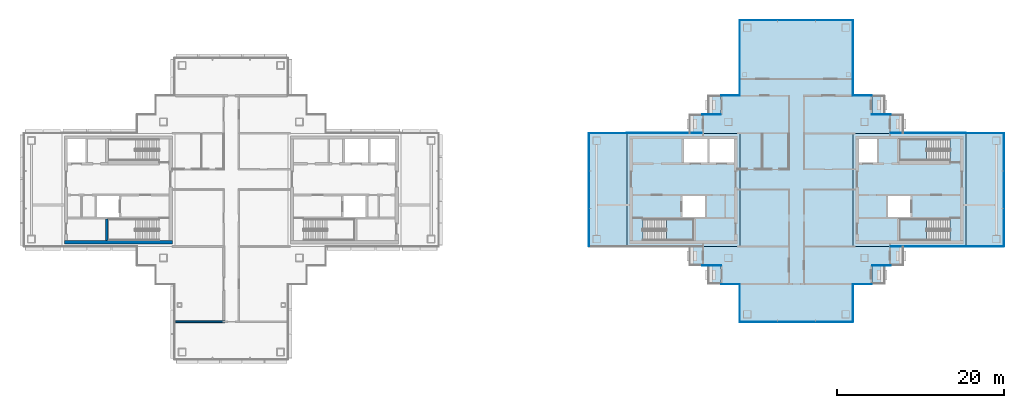
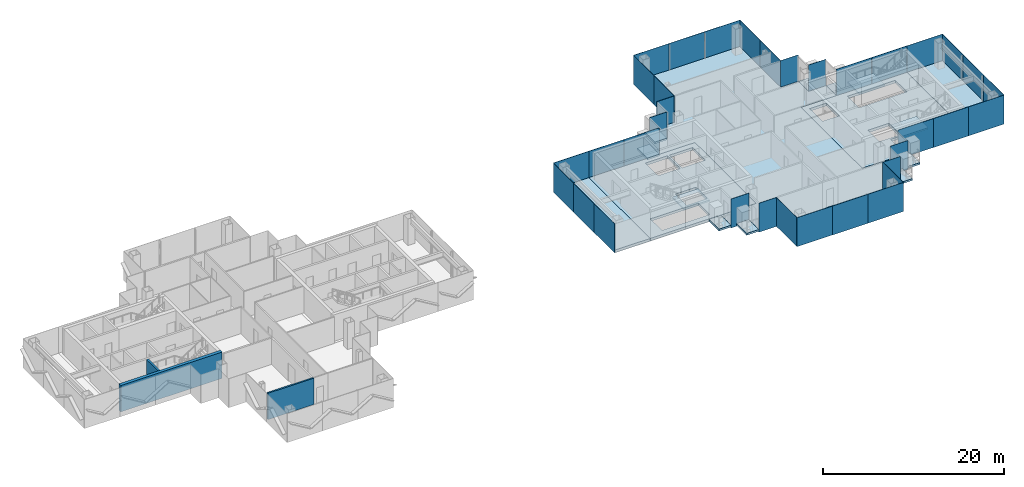
# One storey, part 8 of 17: 35 plates, 16 slabs, 3 walls, 21 elements without a shape of their own.
"""IFC4 building model written with IfcOpenShell, lengths in metres."""

from ifc_helpers import new_model, si_unit, direction, frame, frame_2d, origin, origin_2d, place, context, subcontext, project, spatial, polyline, rectangle, outline, extrude, material, layer, layer_set, type_object, element, aggregate, save


model = new_model("IFC4")

# Units and contexts
model_context = context("Model", 3, precision=1e-05, world=origin(), true_north=direction((0.0, 1.0)))
body_context = subcontext(model_context, "Body", "Model", "MODEL_VIEW")
ifc_project = project(units=[si_unit("LENGTHUNIT", "METRE"), si_unit("AREAUNIT", "SQUARE_METRE"), si_unit("VOLUMEUNIT", "CUBIC_METRE"), si_unit("PLANEANGLEUNIT", "RADIAN"), si_unit("MASSUNIT", "GRAM", prefix="KILO")], contexts=[model_context])

# Site, building, storey
site_placement = place(None, origin())
site = spatial("IfcSite", under=ifc_project, at=site_placement, CompositionType="ELEMENT")
building_placement = place(site_placement, origin())
building = spatial("IfcBuilding", under=site, at=building_placement, Name="Shamsa Quay Exchange Towers", CompositionType="ELEMENT")
storey_placement = place(building_placement, frame((0.0, 0.0, 238.199951171875)))
storey = spatial("IfcBuildingStorey", under=building, at=storey_placement, Name="L57", CompositionType="ELEMENT", Elevation=238.199951171875)

# Slabs
ifc_material_1 = material(Name="Precast concrete C40/50", Category="concrete")
ifc_layer_1 = layer(ifc_material_1, 0.25)
ifc_layer_set_1 = layer_set([ifc_layer_1], Name="BALCONY SLAB 250")
slab_type_1 = type_object("IfcSlabType", Name="BALCONY SLAB 250", PredefinedType="FLOOR", material=ifc_layer_set_1)
slab_1_placement = place(storey_placement, frame((0.0, 0.0, -0.25)))
element("IfcSlab", 1, at=slab_1_placement, inside=storey, type_object=slab_type_1, Name="Balcony T2-PKEN L57", PredefinedType="FLOOR", context=body_context, shape_type="SweptSolid", body=[
    extrude(outline(polyline([(24.75, 11.25), (24.75, 9.0380859375), (23.199951171875, 9.0380859375), (23.199951171875, 11.25), (24.75, 11.25)])), origin(), (0.0, 0.0, 1.0), 0.25),
])
slab_2_placement = place(storey_placement, frame((0.0, 0.0, -0.25)))
element("IfcSlab", 2, at=slab_2_placement, inside=storey, type_object=slab_type_1, Name="Balcony T2-PKEN L57", PredefinedType="FLOOR", context=body_context, shape_type="SweptSolid", body=[
    extrude(outline(polyline([(22.5, 9.0), (22.5, 6.7880859375), (20.949951171875, 6.7880859375), (20.949951171875, 9.0), (22.5, 9.0)])), origin(), (0.0, 0.0, 1.0), 0.25),
])
slab_3_placement = place(storey_placement, frame((0.0, 0.0, -0.25)))
element("IfcSlab", 3, at=slab_3_placement, inside=storey, type_object=slab_type_1, Name="Balcony T2-PKES L57", PredefinedType="FLOOR", context=body_context, shape_type="SweptSolid", body=[
    extrude(outline(polyline([(42.75, 9.0380859375), (42.75, 11.25), (44.300048828125, 11.25), (44.300048828125, 9.0380859375), (42.75, 9.0380859375)])), origin(), (0.0, 0.0, 1.0), 0.25),
])
slab_4_placement = place(storey_placement, frame((0.0, 0.0, -0.25)))
element("IfcSlab", 4, at=slab_4_placement, inside=storey, type_object=slab_type_1, Name="Balcony T2-PKES L57", PredefinedType="FLOOR", context=body_context, shape_type="SweptSolid", body=[
    extrude(outline(polyline([(45.0, 6.7880859375), (45.0, 9.0), (46.550048828125, 9.0), (46.550048828125, 6.7880859375), (45.0, 6.7880859375)])), origin(), (0.0, 0.0, 1.0), 0.25),
])
slab_5_placement = place(storey_placement, frame((0.0, 0.0, -0.25)))
element("IfcSlab", 5, at=slab_5_placement, inside=storey, type_object=slab_type_1, Name="Balcony T2-PKWN L57", PredefinedType="FLOOR", context=body_context, shape_type="SweptSolid", body=[
    extrude(outline(polyline([(22.5, -6.7880859375), (22.5, -9.0), (20.949951171875, -9.0), (20.949951171875, -6.7880859375), (22.5, -6.7880859375)])), origin(), (0.0, 0.0, 1.0), 0.25),
])
slab_6_placement = place(storey_placement, frame((0.0, 0.0, -0.25)))
element("IfcSlab", 6, at=slab_6_placement, inside=storey, type_object=slab_type_1, Name="Balcony T2-PKWN L57", PredefinedType="FLOOR", context=body_context, shape_type="SweptSolid", body=[
    extrude(outline(polyline([(24.75, -9.0380859375), (24.75, -11.25), (23.199951171875, -11.25), (23.199951171875, -9.0380859375), (24.75, -9.0380859375)])), origin(), (0.0, 0.0, 1.0), 0.25),
])
slab_7_placement = place(storey_placement, frame((0.0, 0.0, -0.25)))
element("IfcSlab", 7, at=slab_7_placement, inside=storey, type_object=slab_type_1, Name="Balcony T2-PKWS L57", PredefinedType="FLOOR", context=body_context, shape_type="SweptSolid", body=[
    extrude(outline(polyline([(42.75, -11.25), (42.75, -9.0380859375), (44.300048828125, -9.0380859375), (44.300048828125, -11.25), (42.75, -11.25)])), origin(), (0.0, 0.0, 1.0), 0.25),
])
slab_8_placement = place(storey_placement, frame((0.0, 0.0, -0.25)))
element("IfcSlab", 8, at=slab_8_placement, inside=storey, type_object=slab_type_1, Name="Balcony T2-PKWS L57", PredefinedType="FLOOR", context=body_context, shape_type="SweptSolid", body=[
    extrude(outline(polyline([(45.0, -9.0), (45.0, -6.7880859375), (46.550048828125, -6.7880859375), (46.550048828125, -9.0), (45.0, -9.0)])), origin(), (0.0, 0.0, 1.0), 0.25),
])
ifc_material_2 = material(Name="Concrete C50/60", Category="concrete")
ifc_layer_2 = layer(ifc_material_2, 0.35009765625)
ifc_layer_set_2 = layer_set([ifc_layer_2], Name="CORE FLOOR 350 C50/60")
slab_type_2 = type_object("IfcSlabType", Name="CORE FLOOR 350 C50/60", PredefinedType="FLOOR", material=ifc_layer_set_2)
slab_9_placement = place(storey_placement, frame((0.0, 0.0, -0.349853515625)))
element("IfcSlab", 9, at=slab_9_placement, inside=storey, type_object=slab_type_2, Name="Core floor T2A", PredefinedType="FLOOR", context=body_context, shape_type="SweptSolid", body=[
    extrude(outline(polyline([(13.5, -6.75), (27.0, -6.75), (27.0, 6.75), (13.5, 6.75), (13.5, -6.75)]), holes=[polyline([(15.400634765625, -6.050048828125), (15.400634765625, -3.5), (21.5, -3.5), (21.5, -6.050048828125), (15.400634765625, -6.050048828125)]), polyline([(20.300048828125, 3.25), (20.300048828125, 6.050048828125), (23.10009765625, 6.050048828125), (23.10009765625, 3.25), (20.300048828125, 3.25)]), polyline([(23.35009765625, 3.25), (23.35009765625, 6.050048828125), (26.300048828125, 6.050048828125), (26.300048828125, 3.25), (23.35009765625, 3.25)]), polyline([(20.14990234375, -3.25), (20.14990234375, -0.75), (22.800048828125, -0.75), (22.800048828125, -3.25), (20.14990234375, -3.25)])]), origin(), (0.0, 0.0, 1.0), 0.349853515625),
])
slab_10_placement = place(storey_placement, frame((0.0, 0.0, -0.349853515625)))
element("IfcSlab", 10, at=slab_10_placement, inside=storey, type_object=slab_type_2, Name="Core floor T2B", PredefinedType="FLOOR", context=body_context, shape_type="SweptSolid", body=[
    extrude(outline(polyline([(54.0, -6.75), (54.0, 6.75), (40.5, 6.75), (40.5, -6.75), (54.0, -6.75)]), holes=[polyline([(52.099365234375, -3.5), (52.099365234375, -6.050048828125), (46.0, -6.050048828125), (46.0, -3.5), (52.099365234375, -3.5)]), polyline([(52.099365234375, 6.050048828125), (52.099365234375, 3.5), (46.0, 3.5), (46.0, 6.050048828125), (52.099365234375, 6.050048828125)]), polyline([(43.35009765625, 3.25), (41.199951171875, 3.25), (41.199951171875, 6.050048828125), (43.35009765625, 6.050048828125), (43.35009765625, 3.25)]), polyline([(47.35009765625, -3.25), (44.699951171875, -3.25), (44.699951171875, -0.75), (47.35009765625, -0.75), (47.35009765625, -3.25)])]), origin(), (0.0, 0.0, 1.0), 0.349853515625),
])

# Stair, slab
ifc_material_3 = material(Name="Concrete C40/50", Category="concrete")
stair_type = type_object("IfcStairType", Name="EXIT STAIR 22 RISERS 177 MM", PredefinedType="HALF_TURN_STAIR", material=ifc_material_3)
stair_1_placement = place(storey_placement, origin())
stair_1 = element("IfcStair", 11, at=stair_1_placement, inside=storey, type_object=stair_type, Name="L57 Exit stair ST4", PredefinedType="HALF_TURN_STAIR")
ifc_layer_3 = layer(ifc_material_3, 0.199951171875)
ifc_layer_set_3 = layer_set([ifc_layer_3], Name="CORE STAIR LANDING")
slab_type_3 = type_object("IfcSlabType", Name="CORE STAIR LANDING", PredefinedType="LANDING", material=ifc_layer_set_3)
slab_11_placement = place(storey_placement, frame((0.0, 0.0, 1.75)))
slab_11 = element("IfcSlab", 12, at=slab_11_placement, type_object=slab_type_3, Name="ST4 landing 1", PredefinedType="LANDING", context=body_context, shape_type="SweptSolid", body=[
    extrude(outline(polyline([(18.199951171875, -6.050048828125), (21.5, -6.050048828125), (21.5, -3.5), (18.199951171875, -3.5), (18.199951171875, -6.050048828125)])), origin(), (0.0, 0.0, 1.0), 0.199951171875),
])
aggregate(stair_1, [slab_11])

stair_2_placement = place(storey_placement, origin())
stair_2 = element("IfcStair", 13, at=stair_2_placement, inside=storey, type_object=stair_type, Name="L57 Exit stair ST5", PredefinedType="HALF_TURN_STAIR")
slab_12_placement = place(storey_placement, frame((0.0, 0.0, 1.75)))
slab_12 = element("IfcSlab", 14, at=slab_12_placement, type_object=slab_type_3, Name="ST5 landing 1", PredefinedType="LANDING", context=body_context, shape_type="SweptSolid", body=[
    extrude(outline(polyline([(49.300048828125, -3.5), (46.0, -3.5), (46.0, -6.050048828125), (49.300048828125, -6.050048828125), (49.300048828125, -3.5)])), origin(), (0.0, 0.0, 1.0), 0.199951171875),
])
aggregate(stair_2, [slab_12])

stair_3_placement = place(storey_placement, origin())
stair_3 = element("IfcStair", 15, at=stair_3_placement, inside=storey, type_object=stair_type, Name="L57 Exit stair ST6", PredefinedType="HALF_TURN_STAIR")
slab_13_placement = place(storey_placement, frame((0.0, 0.0, 1.75)))
slab_13 = element("IfcSlab", 16, at=slab_13_placement, type_object=slab_type_3, Name="ST6 landing 1", PredefinedType="LANDING", context=body_context, shape_type="SweptSolid", body=[
    extrude(outline(polyline([(49.300048828125, 6.050048828125), (46.0, 6.050048828125), (46.0, 3.5), (49.300048828125, 3.5), (49.300048828125, 6.050048828125)])), origin(), (0.0, 0.0, 1.0), 0.199951171875),
])
aggregate(stair_3, [slab_13])

# Curtain wall, plate
ifc_material_4 = material(Name="Aluminium EN AW-6063 T6, black anodised", Category="aluminium")
ifc_layer_4 = layer(ifc_material_4, 0.280029296875)
ifc_layer_set_4 = layer_set([ifc_layer_4], Name="CW-1 UNITISED VISION GLASS")
curtain_wall_type_1 = type_object("IfcCurtainWallType", Name="CW-1 UNITISED VISION GLASS", PredefinedType="NOTDEFINED", material=ifc_layer_set_4)
curtain_wall_1_placement = place(storey_placement, origin())
curtain_wall_1 = element("IfcCurtainWall", 17, at=curtain_wall_1_placement, inside=storey, type_object=curtain_wall_type_1, Name="CW1 T2-FLK-V-W L57", PredefinedType="NOTDEFINED")
ifc_material_5 = material(Name="Glass, laminated, dark tinted", Category="glass")
ifc_layer_5 = layer(ifc_material_5, 0.0400390625)
ifc_layer_set_5 = layer_set([ifc_layer_5], Name="CW-1 VISION GLASS 40")
plate_type_1 = type_object("IfcPlateType", Name="CW-1 VISION GLASS 40", PredefinedType="CURTAIN_PANEL", material=ifc_layer_set_5)
plate_1_placement = place(storey_placement, frame((56.25, -6.77001953125, -0.349853515625)))
plate_1 = element("IfcPlate", 18, at=plate_1_placement, type_object=plate_type_1, Name="CW1 glass panel", PredefinedType="CURTAIN_PANEL", context=body_context, shape_type="SweptSolid", body=[
    extrude(rectangle(XDim=4.5, YDim=0.0400390625, at=origin_2d()), origin(), (0.0, 0.0, 1.0), 3.89990234375),
])
aggregate(curtain_wall_1, [plate_1])

# Curtain wall, plates
curtain_wall_2_placement = place(storey_placement, origin())
curtain_wall_2 = element("IfcCurtainWall", 19, at=curtain_wall_2_placement, inside=storey, type_object=curtain_wall_type_1, Name="CW1 T2-END-V- L57", PredefinedType="NOTDEFINED")
plate_2_placement = place(storey_placement, frame((58.52001953125, -4.50244140625, -0.349853515625), z_axis=(0.0, 0.0, 1.0), x_axis=(0.0, 1.0, 0.0)))
plate_2 = element("IfcPlate", 20, at=plate_2_placement, type_object=plate_type_1, Name="CW1 glass panel", PredefinedType="CURTAIN_PANEL", context=body_context, shape_type="SweptSolid", body=[
    extrude(rectangle(XDim=4.4951171875, YDim=0.0400390625, at=origin_2d()), origin(), (0.0, 0.0, 1.0), 3.89990234375),
])
plate_3_placement = place(storey_placement, frame((58.52001953125, 0.0, -0.349853515625), z_axis=(0.0, 0.0, 1.0), x_axis=(0.0, 1.0, 0.0)))
plate_3 = element("IfcPlate", 21, at=plate_3_placement, type_object=plate_type_1, Name="CW1 glass panel", PredefinedType="CURTAIN_PANEL", context=body_context, shape_type="SweptSolid", body=[
    extrude(rectangle(XDim=4.489990234375, YDim=0.0400390625, at=origin_2d()), origin(), (0.0, 0.0, 1.0), 3.89990234375),
])
plate_4_placement = place(storey_placement, frame((58.52001953125, 4.50244140625, -0.349853515625), z_axis=(0.0, 0.0, 1.0), x_axis=(0.0, 1.0, 0.0)))
plate_4 = element("IfcPlate", 22, at=plate_4_placement, type_object=plate_type_1, Name="CW1 glass panel", PredefinedType="CURTAIN_PANEL", context=body_context, shape_type="SweptSolid", body=[
    extrude(rectangle(XDim=4.4951171875, YDim=0.0400390625, at=origin_2d()), origin(), (0.0, 0.0, 1.0), 3.89990234375),
])
aggregate(curtain_wall_2, [plate_2, plate_3, plate_4])

# Curtain wall, plate
curtain_wall_3_placement = place(storey_placement, origin())
curtain_wall_3 = element("IfcCurtainWall", 23, at=curtain_wall_3_placement, inside=storey, type_object=curtain_wall_type_1, Name="CW1 T2-FLK-V-E L57", PredefinedType="NOTDEFINED")
plate_5_placement = place(storey_placement, frame((56.25, 6.77001953125, -0.349853515625), z_axis=(0.0, 0.0, 1.0), x_axis=(-1.0, 0.0, 0.0)))
plate_5 = element("IfcPlate", 24, at=plate_5_placement, type_object=plate_type_1, Name="CW1 glass panel", PredefinedType="CURTAIN_PANEL", context=body_context, shape_type="SweptSolid", body=[
    extrude(rectangle(XDim=4.5, YDim=0.0400390625, at=origin_2d()), origin(), (0.0, 0.0, 1.0), 3.89990234375),
])
aggregate(curtain_wall_3, [plate_5])

# Curtain wall, plates
curtain_wall_4_placement = place(storey_placement, origin())
curtain_wall_4 = element("IfcCurtainWall", 25, at=curtain_wall_4_placement, inside=storey, type_object=curtain_wall_type_1, Name="CW1 T2-FLK-U+S L57", PredefinedType="NOTDEFINED")
plate_6_placement = place(storey_placement, frame((40.52001953125, 13.52587890625, -0.349853515625), z_axis=(0.0, 0.0, 1.0), x_axis=(0.0, 1.0, 0.0)))
plate_6 = element("IfcPlate", 26, at=plate_6_placement, type_object=plate_type_1, Name="CW1 glass panel", PredefinedType="CURTAIN_PANEL", context=body_context, shape_type="SweptSolid", body=[
    extrude(rectangle(XDim=4.47607421875, YDim=0.0400390625, at=origin_2d()), origin(), (0.0, 0.0, 1.0), 3.89990234375),
])
plate_7_placement = place(storey_placement, frame((40.52001953125, 18.011962890625, -0.349853515625), z_axis=(0.0, 0.0, 1.0), x_axis=(0.0, 1.0, 0.0)))
plate_7 = element("IfcPlate", 27, at=plate_7_placement, type_object=plate_type_1, Name="CW1 glass panel", PredefinedType="CURTAIN_PANEL", context=body_context, shape_type="SweptSolid", body=[
    extrude(rectangle(XDim=4.47607421875, YDim=0.0400390625, at=origin_2d()), origin(), (0.0, 0.0, 1.0), 3.89990234375),
])
aggregate(curtain_wall_4, [plate_6, plate_7])

curtain_wall_5_placement = place(storey_placement, origin())
curtain_wall_5 = element("IfcCurtainWall", 28, at=curtain_wall_5_placement, inside=storey, type_object=curtain_wall_type_1, Name="CW1 T2-END-U+ L57", PredefinedType="NOTDEFINED")
plate_8_placement = place(storey_placement, frame((38.25244140625, 20.27001953125, -0.349853515625), z_axis=(0.0, 0.0, 1.0), x_axis=(-1.0, 0.0, 0.0)))
plate_8 = element("IfcPlate", 29, at=plate_8_placement, type_object=plate_type_1, Name="CW1 glass panel", PredefinedType="CURTAIN_PANEL", context=body_context, shape_type="SweptSolid", body=[
    extrude(rectangle(XDim=4.4951171875, YDim=0.0400390625, at=origin_2d()), origin(), (0.0, 0.0, 1.0), 3.89990234375),
])
plate_9_placement = place(storey_placement, frame((33.75, 20.27001953125, -0.349853515625), z_axis=(0.0, 0.0, 1.0), x_axis=(-1.0, 0.0, 0.0)))
plate_9 = element("IfcPlate", 30, at=plate_9_placement, type_object=plate_type_1, Name="CW1 glass panel", PredefinedType="CURTAIN_PANEL", context=body_context, shape_type="SweptSolid", body=[
    extrude(rectangle(XDim=4.489990234375, YDim=0.0400390625, at=origin_2d()), origin(), (0.0, 0.0, 1.0), 3.89990234375),
])
plate_10_placement = place(storey_placement, frame((29.24755859375, 20.27001953125, -0.349853515625), z_axis=(0.0, 0.0, 1.0), x_axis=(-1.0, 0.0, 0.0)))
plate_10 = element("IfcPlate", 31, at=plate_10_placement, type_object=plate_type_1, Name="CW1 glass panel", PredefinedType="CURTAIN_PANEL", context=body_context, shape_type="SweptSolid", body=[
    extrude(rectangle(XDim=4.4951171875, YDim=0.0400390625, at=origin_2d()), origin(), (0.0, 0.0, 1.0), 3.89990234375),
])
aggregate(curtain_wall_5, [plate_8, plate_9, plate_10])

curtain_wall_6_placement = place(storey_placement, origin())
curtain_wall_6 = element("IfcCurtainWall", 32, at=curtain_wall_6_placement, inside=storey, type_object=curtain_wall_type_1, Name="CW1 T2-FLK-U+N L57", PredefinedType="NOTDEFINED")
plate_11_placement = place(storey_placement, frame((26.97998046875, 18.00244140625, -0.349853515625), z_axis=(0.0, 0.0, 1.0), x_axis=(0.0, -1.0, 0.0)))
plate_11 = element("IfcPlate", 33, at=plate_11_placement, type_object=plate_type_1, Name="CW1 glass panel", PredefinedType="CURTAIN_PANEL", context=body_context, shape_type="SweptSolid", body=[
    extrude(rectangle(XDim=4.4951171875, YDim=0.0400390625, at=origin_2d()), origin(), (0.0, 0.0, 1.0), 3.89990234375),
])
plate_12_placement = place(storey_placement, frame((26.97998046875, 13.49755859375, -0.349853515625), z_axis=(0.0, 0.0, 1.0), x_axis=(0.0, -1.0, 0.0)))
plate_12 = element("IfcPlate", 34, at=plate_12_placement, type_object=plate_type_1, Name="CW1 glass panel", PredefinedType="CURTAIN_PANEL", context=body_context, shape_type="SweptSolid", body=[
    extrude(rectangle(XDim=4.4951171875, YDim=0.0400390625, at=origin_2d()), origin(), (0.0, 0.0, 1.0), 3.89990234375),
])
aggregate(curtain_wall_6, [plate_11, plate_12])

# Curtain wall, plate
curtain_wall_7_placement = place(storey_placement, origin())
curtain_wall_7 = element("IfcCurtainWall", 35, at=curtain_wall_7_placement, inside=storey, type_object=curtain_wall_type_1, Name="CW1 T2-FLK-V+E L57", PredefinedType="NOTDEFINED")
plate_13_placement = place(storey_placement, frame((11.25, 6.77001953125, -0.349853515625), z_axis=(0.0, 0.0, 1.0), x_axis=(-1.0, 0.0, 0.0)))
plate_13 = element("IfcPlate", 36, at=plate_13_placement, type_object=plate_type_1, Name="CW1 glass panel", PredefinedType="CURTAIN_PANEL", context=body_context, shape_type="SweptSolid", body=[
    extrude(rectangle(XDim=4.5, YDim=0.0400390625, at=origin_2d()), origin(), (0.0, 0.0, 1.0), 3.89990234375),
])
aggregate(curtain_wall_7, [plate_13])

# Curtain wall, plates
curtain_wall_8_placement = place(storey_placement, origin())
curtain_wall_8 = element("IfcCurtainWall", 37, at=curtain_wall_8_placement, inside=storey, type_object=curtain_wall_type_1, Name="CW1 T2-END-V+ L57", PredefinedType="NOTDEFINED")
plate_14_placement = place(storey_placement, frame((8.97998046875, 4.50244140625, -0.349853515625), z_axis=(0.0, 0.0, 1.0), x_axis=(0.0, -1.0, 0.0)))
plate_14 = element("IfcPlate", 38, at=plate_14_placement, type_object=plate_type_1, Name="CW1 glass panel", PredefinedType="CURTAIN_PANEL", context=body_context, shape_type="SweptSolid", body=[
    extrude(rectangle(XDim=4.4951171875, YDim=0.0400390625, at=origin_2d()), origin(), (0.0, 0.0, 1.0), 3.89990234375),
])
plate_15_placement = place(storey_placement, frame((8.97998046875, 0.0, -0.349853515625), z_axis=(0.0, 0.0, 1.0), x_axis=(0.0, -1.0, 0.0)))
plate_15 = element("IfcPlate", 39, at=plate_15_placement, type_object=plate_type_1, Name="CW1 glass panel", PredefinedType="CURTAIN_PANEL", context=body_context, shape_type="SweptSolid", body=[
    extrude(rectangle(XDim=4.489990234375, YDim=0.0400390625, at=origin_2d()), origin(), (0.0, 0.0, 1.0), 3.89990234375),
])
plate_16_placement = place(storey_placement, frame((8.97998046875, -4.50244140625, -0.349853515625), z_axis=(0.0, 0.0, 1.0), x_axis=(0.0, -1.0, 0.0)))
plate_16 = element("IfcPlate", 40, at=plate_16_placement, type_object=plate_type_1, Name="CW1 glass panel", PredefinedType="CURTAIN_PANEL", context=body_context, shape_type="SweptSolid", body=[
    extrude(rectangle(XDim=4.4951171875, YDim=0.0400390625, at=origin_2d()), origin(), (0.0, 0.0, 1.0), 3.89990234375),
])
aggregate(curtain_wall_8, [plate_14, plate_15, plate_16])

# Curtain wall, plate
curtain_wall_9_placement = place(storey_placement, origin())
curtain_wall_9 = element("IfcCurtainWall", 41, at=curtain_wall_9_placement, inside=storey, type_object=curtain_wall_type_1, Name="CW1 T2-FLK-U-N L57", PredefinedType="NOTDEFINED")
plate_17_placement = place(storey_placement, frame((26.97998046875, -13.51904296875, -0.349853515625), z_axis=(0.0, 0.0, 1.0), x_axis=(0.0, -1.0, 0.0)))
plate_17 = element("IfcPlate", 42, at=plate_17_placement, type_object=plate_type_1, Name="CW1 glass panel", PredefinedType="CURTAIN_PANEL", context=body_context, shape_type="SweptSolid", body=[
    extrude(rectangle(XDim=4.4619140625, YDim=0.0400390625, at=origin_2d()), origin(), (0.0, 0.0, 1.0), 3.89990234375),
])
aggregate(curtain_wall_9, [plate_17])

# Curtain wall, plates
curtain_wall_10_placement = place(storey_placement, origin())
curtain_wall_10 = element("IfcCurtainWall", 43, at=curtain_wall_10_placement, inside=storey, type_object=curtain_wall_type_1, Name="CW1 T2-END-U- L57", PredefinedType="NOTDEFINED")
plate_18_placement = place(storey_placement, frame((29.24755859375, -15.77001953125, -0.349853515625)))
plate_18 = element("IfcPlate", 44, at=plate_18_placement, type_object=plate_type_1, Name="CW1 glass panel", PredefinedType="CURTAIN_PANEL", context=body_context, shape_type="SweptSolid", body=[
    extrude(rectangle(XDim=4.4951171875, YDim=0.0400390625, at=origin_2d()), origin(), (0.0, 0.0, 1.0), 3.89990234375),
])
plate_19_placement = place(storey_placement, frame((33.75, -15.77001953125, -0.349853515625)))
plate_19 = element("IfcPlate", 45, at=plate_19_placement, type_object=plate_type_1, Name="CW1 glass panel", PredefinedType="CURTAIN_PANEL", context=body_context, shape_type="SweptSolid", body=[
    extrude(rectangle(XDim=4.489990234375, YDim=0.0400390625, at=origin_2d()), origin(), (0.0, 0.0, 1.0), 3.89990234375),
])
plate_20_placement = place(storey_placement, frame((38.25244140625, -15.77001953125, -0.349853515625)))
plate_20 = element("IfcPlate", 46, at=plate_20_placement, type_object=plate_type_1, Name="CW1 glass panel", PredefinedType="CURTAIN_PANEL", context=body_context, shape_type="SweptSolid", body=[
    extrude(rectangle(XDim=4.4951171875, YDim=0.0400390625, at=origin_2d()), origin(), (0.0, 0.0, 1.0), 3.89990234375),
])
aggregate(curtain_wall_10, [plate_18, plate_19, plate_20])

# Curtain wall, plate
curtain_wall_11_placement = place(storey_placement, origin())
curtain_wall_11 = element("IfcCurtainWall", 47, at=curtain_wall_11_placement, inside=storey, type_object=curtain_wall_type_1, Name="CW1 T2-FLK-U-S L57", PredefinedType="NOTDEFINED")
plate_21_placement = place(storey_placement, frame((40.52001953125, -13.5, -0.349853515625), z_axis=(0.0, 0.0, 1.0), x_axis=(0.0, 1.0, 0.0)))
plate_21 = element("IfcPlate", 48, at=plate_21_placement, type_object=plate_type_1, Name="CW1 glass panel", PredefinedType="CURTAIN_PANEL", context=body_context, shape_type="SweptSolid", body=[
    extrude(rectangle(XDim=4.5, YDim=0.0400390625, at=origin_2d()), origin(), (0.0, 0.0, 1.0), 3.89990234375),
])
aggregate(curtain_wall_11, [plate_21])

# Curtain wall, plates
ifc_layer_6 = layer(ifc_material_4, 0.303955078125)
ifc_layer_set_6 = layer_set([ifc_layer_6], Name="CW-2 UNITISED OPAQUE SPANDREL GLASS")
curtain_wall_type_2 = type_object("IfcCurtainWallType", Name="CW-2 UNITISED OPAQUE SPANDREL GLASS", PredefinedType="NOTDEFINED", material=ifc_layer_set_6)
curtain_wall_12_placement = place(storey_placement, origin())
curtain_wall_12 = element("IfcCurtainWall", 49, at=curtain_wall_12_placement, inside=storey, type_object=curtain_wall_type_2, Name="CW2 T2-FLK-V-W L57", PredefinedType="NOTDEFINED")
ifc_material_6 = material(Name="Glass, laminated, black enamelled opaque", Category="glass")
ifc_layer_7 = layer(ifc_material_6, 0.0439453125)
ifc_layer_set_7 = layer_set([ifc_layer_7], Name="CW-2 SPANDREL GLASS 44")
plate_type_2 = type_object("IfcPlateType", Name="CW-2 SPANDREL GLASS 44", PredefinedType="CURTAIN_PANEL", material=ifc_layer_set_7)
plate_22_placement = place(storey_placement, frame((47.27587890625, -6.77197265625, -0.349853515625)))
plate_22 = element("IfcPlate", 50, at=plate_22_placement, type_object=plate_type_2, Name="CW2 glass panel", PredefinedType="CURTAIN_PANEL", context=body_context, shape_type="SweptSolid", body=[
    extrude(rectangle(XDim=4.47607421875, YDim=0.0439453125, at=origin_2d()), origin(), (0.0, 0.0, 1.0), 3.89990234375),
])
plate_23_placement = place(storey_placement, frame((51.761962890625, -6.77197265625, -0.349853515625)))
plate_23 = element("IfcPlate", 51, at=plate_23_placement, type_object=plate_type_2, Name="CW2 glass panel", PredefinedType="CURTAIN_PANEL", context=body_context, shape_type="SweptSolid", body=[
    extrude(rectangle(XDim=4.47607421875, YDim=0.0439453125, at=origin_2d()), origin(), (0.0, 0.0, 1.0), 3.89990234375),
])
aggregate(curtain_wall_12, [plate_22, plate_23])

curtain_wall_13_placement = place(storey_placement, origin())
curtain_wall_13 = element("IfcCurtainWall", 52, at=curtain_wall_13_placement, inside=storey, type_object=curtain_wall_type_2, Name="CW2 T2-FLK-V-E L57", PredefinedType="NOTDEFINED")
plate_24_placement = place(storey_placement, frame((51.75244140625, 6.77197265625, -0.349853515625), z_axis=(0.0, 0.0, 1.0), x_axis=(-1.0, 0.0, 0.0)))
plate_24 = element("IfcPlate", 53, at=plate_24_placement, type_object=plate_type_2, Name="CW2 glass panel", PredefinedType="CURTAIN_PANEL", context=body_context, shape_type="SweptSolid", body=[
    extrude(rectangle(XDim=4.4951171875, YDim=0.0439453125, at=origin_2d()), origin(), (0.0, 0.0, 1.0), 3.89990234375),
])
plate_25_placement = place(storey_placement, frame((47.24755859375, 6.77197265625, -0.349853515625), z_axis=(0.0, 0.0, 1.0), x_axis=(-1.0, 0.0, 0.0)))
plate_25 = element("IfcPlate", 54, at=plate_25_placement, type_object=plate_type_2, Name="CW2 glass panel", PredefinedType="CURTAIN_PANEL", context=body_context, shape_type="SweptSolid", body=[
    extrude(rectangle(XDim=4.4951171875, YDim=0.0439453125, at=origin_2d()), origin(), (0.0, 0.0, 1.0), 3.89990234375),
])
aggregate(curtain_wall_13, [plate_24, plate_25])

curtain_wall_14_placement = place(storey_placement, origin())
curtain_wall_14 = element("IfcCurtainWall", 55, at=curtain_wall_14_placement, inside=storey, type_object=curtain_wall_type_2, Name="CW2 T2-FLK-V+E L57", PredefinedType="NOTDEFINED")
plate_26_placement = place(storey_placement, frame((20.22412109375, 6.77197265625, -0.349853515625), z_axis=(0.0, 0.0, 1.0), x_axis=(-1.0, 0.0, 0.0)))
plate_26 = element("IfcPlate", 56, at=plate_26_placement, type_object=plate_type_2, Name="CW2 glass panel", PredefinedType="CURTAIN_PANEL", context=body_context, shape_type="SweptSolid", body=[
    extrude(rectangle(XDim=4.47607421875, YDim=0.0439453125, at=origin_2d()), origin(), (0.0, 0.0, 1.0), 3.89990234375),
])
plate_27_placement = place(storey_placement, frame((15.738037109375, 6.77197265625, -0.349853515625), z_axis=(0.0, 0.0, 1.0), x_axis=(-1.0, 0.0, 0.0)))
plate_27 = element("IfcPlate", 57, at=plate_27_placement, type_object=plate_type_2, Name="CW2 glass panel", PredefinedType="CURTAIN_PANEL", context=body_context, shape_type="SweptSolid", body=[
    extrude(rectangle(XDim=4.47607421875, YDim=0.0439453125, at=origin_2d()), origin(), (0.0, 0.0, 1.0), 3.89990234375),
])
aggregate(curtain_wall_14, [plate_26, plate_27])

ifc_layer_8 = layer(ifc_material_4, 0.256103515625)
ifc_layer_set_8 = layer_set([ifc_layer_8], Name="CW-4 POCKET SERRATED GLAZING")
curtain_wall_type_3 = type_object("IfcCurtainWallType", Name="CW-4 POCKET SERRATED GLAZING", PredefinedType="NOTDEFINED", material=ifc_layer_set_8)
curtain_wall_15_placement = place(storey_placement, origin())
curtain_wall_15 = element("IfcCurtainWall", 58, at=curtain_wall_15_placement, inside=storey, type_object=curtain_wall_type_3, Name="CW4 PKWS L57", PredefinedType="NOTDEFINED")
ifc_layer_9 = layer(ifc_material_5, 0.035888671875)
ifc_layer_set_9 = layer_set([ifc_layer_9], Name="CW-4 POCKET GLASS 36")
plate_type_3 = type_object("IfcPlateType", Name="CW-4 POCKET GLASS 36", PredefinedType="CURTAIN_PANEL", material=ifc_layer_set_9)
plate_28_placement = place(storey_placement, frame((43.89404296875, -9.01806640625, -0.349853515625)))
plate_28 = element("IfcPlate", 59, at=plate_28_placement, type_object=plate_type_3, Name="CW4 glass panel", PredefinedType="CURTAIN_PANEL", context=body_context, shape_type="SweptSolid", body=[
    extrude(rectangle(XDim=2.2119140625, YDim=0.035888671875, at=origin_2d()), origin(), (0.0, 0.0, 1.0), 3.89990234375),
])
plate_29_placement = place(storey_placement, frame((41.64599609375, -11.26806640625, -0.349853515625)))
plate_29 = element("IfcPlate", 60, at=plate_29_placement, type_object=plate_type_3, Name="CW4 glass panel", PredefinedType="CURTAIN_PANEL", context=body_context, shape_type="SweptSolid", body=[
    extrude(rectangle(XDim=2.2080078125, YDim=0.035888671875, at=origin_2d()), origin(), (0.0, 0.0, 1.0), 3.89990234375),
])
aggregate(curtain_wall_15, [plate_28, plate_29])

curtain_wall_16_placement = place(storey_placement, origin())
curtain_wall_16 = element("IfcCurtainWall", 61, at=curtain_wall_16_placement, inside=storey, type_object=curtain_wall_type_3, Name="CW4 PKES L57", PredefinedType="NOTDEFINED")
plate_30_placement = place(storey_placement, frame((43.875, 9.01806640625, -0.349853515625), z_axis=(0.0, 0.0, 1.0), x_axis=(-1.0, 0.0, 0.0)))
plate_30 = element("IfcPlate", 62, at=plate_30_placement, type_object=plate_type_3, Name="CW4 glass panel", PredefinedType="CURTAIN_PANEL", context=body_context, shape_type="SweptSolid", body=[
    extrude(rectangle(XDim=2.25, YDim=0.035888671875, at=origin_2d()), origin(), (0.0, 0.0, 1.0), 3.89990234375),
])
plate_31_placement = place(storey_placement, frame((41.625, 11.26806640625, -0.349853515625), z_axis=(0.0, 0.0, 1.0), x_axis=(-1.0, 0.0, 0.0)))
plate_31 = element("IfcPlate", 63, at=plate_31_placement, type_object=plate_type_3, Name="CW4 glass panel", PredefinedType="CURTAIN_PANEL", context=body_context, shape_type="SweptSolid", body=[
    extrude(rectangle(XDim=2.25, YDim=0.035888671875, at=origin_2d()), origin(), (0.0, 0.0, 1.0), 3.89990234375),
])
aggregate(curtain_wall_16, [plate_30, plate_31])

curtain_wall_17_placement = place(storey_placement, origin())
curtain_wall_17 = element("IfcCurtainWall", 64, at=curtain_wall_17_placement, inside=storey, type_object=curtain_wall_type_3, Name="CW4 PKEN L57", PredefinedType="NOTDEFINED")
plate_32_placement = place(storey_placement, frame((25.85400390625, 11.26806640625, -0.349853515625), z_axis=(0.0, 0.0, 1.0), x_axis=(-1.0, 0.0, 0.0)))
plate_32 = element("IfcPlate", 65, at=plate_32_placement, type_object=plate_type_3, Name="CW4 glass panel", PredefinedType="CURTAIN_PANEL", context=body_context, shape_type="SweptSolid", body=[
    extrude(rectangle(XDim=2.2080078125, YDim=0.035888671875, at=origin_2d()), origin(), (0.0, 0.0, 1.0), 3.89990234375),
])
plate_33_placement = place(storey_placement, frame((23.60595703125, 9.01806640625, -0.349853515625), z_axis=(0.0, 0.0, 1.0), x_axis=(-1.0, 0.0, 0.0)))
plate_33 = element("IfcPlate", 66, at=plate_33_placement, type_object=plate_type_3, Name="CW4 glass panel", PredefinedType="CURTAIN_PANEL", context=body_context, shape_type="SweptSolid", body=[
    extrude(rectangle(XDim=2.2119140625, YDim=0.035888671875, at=origin_2d()), origin(), (0.0, 0.0, 1.0), 3.89990234375),
])
aggregate(curtain_wall_17, [plate_32, plate_33])

curtain_wall_18_placement = place(storey_placement, origin())
curtain_wall_18 = element("IfcCurtainWall", 67, at=curtain_wall_18_placement, inside=storey, type_object=curtain_wall_type_3, Name="CW4 PKWN L57", PredefinedType="NOTDEFINED")
plate_34_placement = place(storey_placement, frame((23.625, -9.01806640625, -0.349853515625)))
plate_34 = element("IfcPlate", 68, at=plate_34_placement, type_object=plate_type_3, Name="CW4 glass panel", PredefinedType="CURTAIN_PANEL", context=body_context, shape_type="SweptSolid", body=[
    extrude(rectangle(XDim=2.25, YDim=0.035888671875, at=origin_2d()), origin(), (0.0, 0.0, 1.0), 3.89990234375),
])
plate_35_placement = place(storey_placement, frame((25.875, -11.26806640625, -0.349853515625)))
plate_35 = element("IfcPlate", 69, at=plate_35_placement, type_object=plate_type_3, Name="CW4 glass panel", PredefinedType="CURTAIN_PANEL", context=body_context, shape_type="SweptSolid", body=[
    extrude(rectangle(XDim=2.25, YDim=0.035888671875, at=origin_2d()), origin(), (0.0, 0.0, 1.0), 3.89990234375),
])
aggregate(curtain_wall_18, [plate_34, plate_35])

# Slabs
ifc_layer_10 = layer(ifc_material_3, 0.35009765625)
ifc_layer_set_10 = layer_set([ifc_layer_10], Name="Flat slab 350")
slab_type_4 = type_object("IfcSlabType", Name="Flat slab 350", PredefinedType="FLOOR", material=ifc_layer_set_10)
slab_14_placement = place(storey_placement, frame((0.0, 0.0, -0.349853515625)))
element("IfcSlab", 70, at=slab_14_placement, inside=storey, type_object=slab_type_4, Name="Flat slab T2 L57 4", PredefinedType="FLOOR", context=body_context, shape_type="SweptSolid", body=[
    extrude(outline(polyline([(9.0, -6.75), (13.5, -6.75), (13.5, 6.75), (9.0, 6.75), (9.0, -6.75)])), origin(), (0.0, 0.0, 1.0), 0.349853515625),
])
slab_15_placement = place(storey_placement, frame((0.0, 0.0, -0.349853515625)))
element("IfcSlab", 71, at=slab_15_placement, inside=storey, type_object=slab_type_4, Name="Flat slab T2 L57 5", PredefinedType="FLOOR", context=body_context, shape_type="SweptSolid", body=[
    extrude(outline(polyline([(45.0, -9.0), (45.0, -6.75), (40.5, -6.75), (40.5, 6.75), (45.0, 6.75), (45.0, 9.0), (42.75, 9.0), (42.75, 11.25), (40.5, 11.25), (40.5, 20.25), (27.0, 20.25), (27.0, 11.25), (24.75, 11.25), (24.75, 9.0), (22.5, 9.0), (22.5, 6.75), (27.0, 6.75), (27.0, -6.75), (22.5, -6.75), (22.5, -9.0), (24.75, -9.0), (24.75, -11.25), (27.0, -11.25), (27.0, -15.75), (40.5, -15.75), (40.5, -11.25), (42.75, -11.25), (42.75, -9.0), (45.0, -9.0)])), origin(), (0.0, 0.0, 1.0), 0.349853515625),
])
slab_16_placement = place(storey_placement, frame((0.0, 0.0, -0.349853515625)))
element("IfcSlab", 72, at=slab_16_placement, inside=storey, type_object=slab_type_4, Name="Flat slab T2 L57 6", PredefinedType="FLOOR", context=body_context, shape_type="SweptSolid", body=[
    extrude(outline(polyline([(58.5, 6.75), (54.0, 6.75), (54.0, -6.75), (58.5, -6.75), (58.5, 6.75)])), origin(), (0.0, 0.0, 1.0), 0.349853515625),
])

# Walls
ifc_material_7 = material(Name="Double-leaf gypsum board partition with acoustic insulation")
ifc_layer_11 = layer(ifc_material_7, 0.199951171875)
ifc_layer_set_11 = layer_set([ifc_layer_11], Name="Acoustic partition 200 mm EI 60")
wall_type_1 = type_object("IfcWallType", Name="Acoustic partition 200 mm EI 60", PredefinedType="PARTITIONING", material=ifc_layer_set_11)
wall_1_placement = place(storey_placement, frame((-40.405029296875, -15.75, 0.0)))
element("IfcWall", 73, at=wall_1_placement, inside=storey, type_object=wall_type_1, Name="Partition T1-R25-W21", PredefinedType="PARTITIONING", context=body_context, shape_type="SweptSolid", body=[
    extrude(rectangle(XDim=5.854736328125, YDim=0.199951171875, at=frame_2d((2.92724609375, 0.0))), origin(), (0.0, 0.0, 1.0), 3.550048828125),
])
ifc_material_8 = material(Name="Concrete C60/75", Category="concrete")
ifc_layer_12 = layer(ifc_material_8, 0.39990234375)
ifc_layer_set_12 = layer_set([ifc_layer_12], Name="CORE WALL 400 C60/75")
wall_type_2 = type_object("IfcWallType", Name="CORE WALL 400 C60/75", PredefinedType="SHEAR", material=ifc_layer_set_12)
wall_2_placement = place(storey_placement, frame((-40.800048828125, -6.25, 0.0), z_axis=(0.0, 0.0, 1.0), x_axis=(-1.0, 0.0, 0.0)))
element("IfcWall", 74, at=wall_2_placement, inside=storey, type_object=wall_type_2, Name="Core wall T1B-R25-PS", PredefinedType="SHEAR", context=body_context, shape_type="SweptSolid", body=[
    extrude(rectangle(XDim=12.89990234375, YDim=0.39990234375, at=frame_2d((6.449951171875, 0.0))), origin(), (0.0, 0.0, 1.0), 3.550048828125),
])
ifc_layer_13 = layer(ifc_material_2, 0.25)
ifc_layer_set_13 = layer_set([ifc_layer_13], Name="SHAFT WALL 250 C50/60")
wall_type_3 = type_object("IfcWallType", Name="SHAFT WALL 250 C50/60", PredefinedType="SHEAR", material=ifc_layer_set_13)
wall_3_placement = place(storey_placement, frame((-48.625, -6.050048828125, 0.0), z_axis=(0.0, 0.0, 1.0), x_axis=(0.0, 1.0, 0.0)))
element("IfcWall", 75, at=wall_3_placement, inside=storey, type_object=wall_type_3, Name="Shaft wall T1B-R25-STF", PredefinedType="SHEAR", context=body_context, shape_type="SweptSolid", body=[
    extrude(rectangle(XDim=2.550048828125, YDim=0.25, at=frame_2d((1.27490234375, 0.0))), origin(), (0.0, 0.0, 1.0), 3.550048828125),
])

save(model, "model.ifc")
